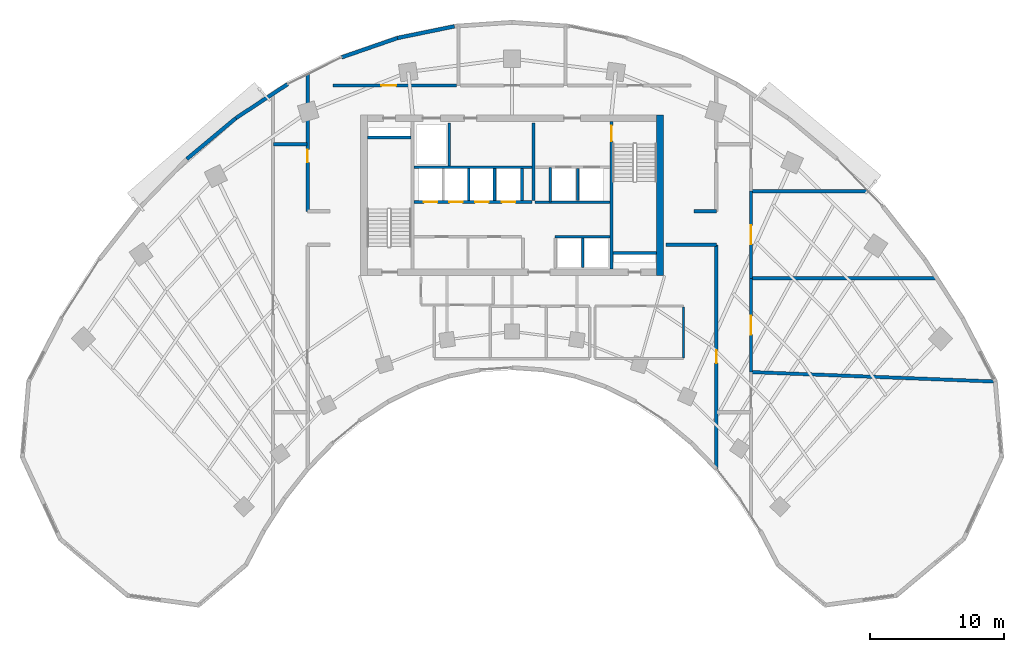
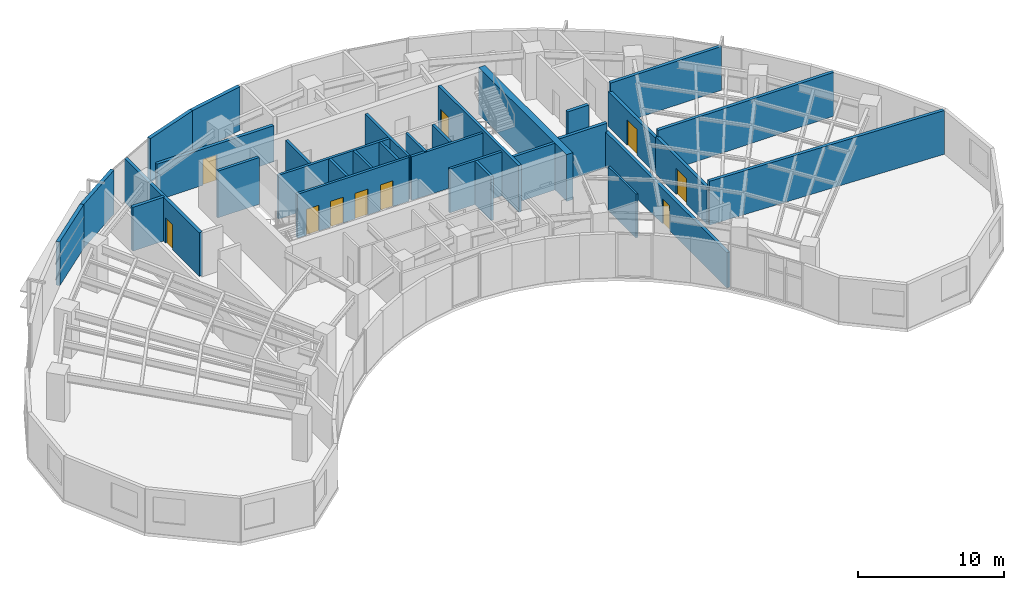
# One storey, part 10 of 14: 32 walls, 10 doors, 10 openings.
"""IFC4 building model written with IfcOpenShell, lengths in metres."""

from ifc_helpers import new_model, si_unit, direction, frame, frame_2d, origin, place, context, subcontext, project, spatial, rectangle, extrude, source, transform, mapped, material, layer, layer_set, type_object, type_shapes, element, fill, save


model = new_model("IFC4")

# Units and contexts
model_context = context("Model", 3, precision=1e-05, world=origin(), true_north=direction((0.0, 1.0)))
body_context = subcontext(model_context, "Body", "Model", "MODEL_VIEW")
ifc_project = project(units=[si_unit("LENGTHUNIT", "METRE"), si_unit("AREAUNIT", "SQUARE_METRE"), si_unit("VOLUMEUNIT", "CUBIC_METRE"), si_unit("PLANEANGLEUNIT", "RADIAN"), si_unit("MASSUNIT", "GRAM", prefix="KILO")], contexts=[model_context])

# Site, building, storey
site_placement = place(None, origin())
site = spatial("IfcSite", under=ifc_project, at=site_placement, CompositionType="ELEMENT")
building_placement = place(site_placement, origin())
building = spatial("IfcBuilding", under=site, at=building_placement, Name="Breltana Convention Tower", CompositionType="ELEMENT")
storey_placement = place(building_placement, frame((0.0, 0.0, 119.39990234375)))
storey = spatial("IfcBuildingStorey", under=building, at=storey_placement, Name="L28", CompositionType="ELEMENT", Elevation=119.39990234375)

# Walls
ifc_material_1 = material(Name="Concrete C60/75", Category="concrete")
ifc_layer_1 = layer(ifc_material_1, 0.5, Name="Concrete C60/75")
ifc_layer_set_1 = layer_set([ifc_layer_1], Name="Concrete C60/75")
wall_type_1 = type_object("IfcWallType", Name="SW-CORE-500", PredefinedType="SHEAR", material=ifc_layer_set_1)
shared_shape_1 = source(origin(), body_context, "Body", "SweptSolid", [
    extrude(rectangle(XDim=12.0, YDim=0.5, at=frame_2d((6.0, 0.0))), origin(), (0.0, 0.0, 1.0), 3.900146484375),
])
wall_1_placement = place(storey_placement, frame((59.050048828125, 60.199951171875, 0.0), z_axis=(0.0, 0.0, 1.0), x_axis=(0.0, 1.0, 0.0)))
element("IfcWall", 1, at=wall_1_placement, inside=storey, type_object=wall_type_1, Name="L28 East Core Shear Wall", PredefinedType="SHEAR", context=body_context, shape_type="MappedRepresentation", body=[
    mapped(shared_shape_1, transform((0.0, 0.0, 0.0), scale=1.0)),
])
ifc_material_2 = material(Name="Concrete C50/60", Category="concrete")
ifc_layer_2 = layer(ifc_material_2, 0.39990234375, Name="Concrete C50/60")
ifc_layer_set_2 = layer_set([ifc_layer_2], Name="Concrete C50/60")
wall_type_2 = type_object("IfcWallType", Name="SW-CORE-400", PredefinedType="SHEAR", material=ifc_layer_set_2)
shared_shape_2 = source(origin(), body_context, "Body", "SweptSolid", [
    extrude(rectangle(XDim=3.27001953125, YDim=0.219970703125, at=frame_2d((1.635009765625, 0.0))), origin(), (0.0, 0.0, 1.0), 3.900146484375),
])
for number, where, z_axis, x_axis, name in (
    (2, (37.199951171875, 70.510009765625, 0.0), (0.0, 0.0, 1.0), (1.0, 0.0, 0.0), "L28 ST-1 Stairwell North Bearing Wall"),
    (3, (55.530029296875, 61.889892578125, 0.0), (0.0, 0.0, 1.0), (1.0, 0.0, 0.0), "L28 ST-2 Stairwell South Bearing Wall"),
):
    element("IfcWall", number, at=place(storey_placement, frame(where, z_axis=z_axis, x_axis=x_axis)), inside=storey, type_object=wall_type_2, Name=name, PredefinedType="SHEAR", context=body_context, shape_type="MappedRepresentation", body=[
        mapped(shared_shape_2, transform((0.0, 0.0, 0.0), scale=1.0)),
    ])

# Wall, opening, door
shared_shape_3 = source(origin(), body_context, "Body", "SweptSolid", [
    extrude(rectangle(XDim=11.0, YDim=0.219970703125, at=frame_2d((5.5, 0.0))), origin(), (0.0, 0.0, 1.0), 3.900146484375),
])
wall_2_placement = place(storey_placement, frame((55.419921875, 60.699951171875, 0.0), z_axis=(0.0, 0.0, 1.0), x_axis=(0.0, 1.0, 0.0)))
wall_2 = element("IfcWall", 4, at=wall_2_placement, inside=storey, type_object=wall_type_2, Name="L28 Core East Stair Spine Wall", PredefinedType="SHEAR", context=body_context, shape_type="MappedRepresentation", body=[
    mapped(shared_shape_3, transform((0.0, 0.0, 0.0), scale=1.0)),
])
opening_1_placement = place(wall_2_placement, frame((9.544921875, 0.0, 0.0)))
opening_1 = element("IfcOpeningElement", 5, at=opening_1_placement, cuts=wall_2, Name="Opening D-11", PredefinedType="OPENING", context=body_context, shape_type="SweptSolid", body=[
    extrude(rectangle(XDim=1.14990234375, YDim=2.14990234375, at=frame_2d((0.574951171875, 1.074951171875))), frame((0.0, 0.1201171875, 0.0), z_axis=(0.0, -1.0, 0.0), x_axis=(1.0, 0.0, 0.0)), (0.0, 0.0, 1.0), 0.239990234375),
])
ifc_material_3 = material(Name="Steel Stair Exit Door", Category="steel")
door_type_1 = type_object("IfcDoorType", Name="DR-FD120-1150", OperationType="NOTDEFINED", PredefinedType="DOOR", material=ifc_material_3)
shared_shape_4 = source(origin(), body_context, "Body", "SweptSolid", [
    extrude(rectangle(XDim=1.14990234375, YDim=2.14990234375, at=frame_2d((0.574951171875, 1.074951171875))), frame((0.0, 0.02490234375, 0.0), z_axis=(0.0, -1.0, 0.0), x_axis=(1.0, 0.0, 0.0)), (0.0, 0.0, 1.0), 0.050048828125),
])
type_shapes(door_type_1, [shared_shape_4])
door_1_placement = place(opening_1_placement, origin())
door_1 = element("IfcDoor", 6, at=door_1_placement, inside=storey, type_object=door_type_1, Name="L28 interior door D-L28-ST2", OperationType="SINGLE_SWING_LEFT", OverallHeight=2.14990234375, OverallWidth=1.14990234375, PredefinedType="DOOR", context=body_context, shape_type="MappedRepresentation", body=[
    mapped(shared_shape_4, transform((0.0, 0.0, 0.0), scale=1.0)),
])
fill(opening_1, door_1)

# Walls
ifc_material_4 = material(Name="Limestone Buff Insulated Wall", Category="masonry")
ifc_layer_3 = layer(ifc_material_4, 0.280029296875, Name="Limestone Buff Insulated Wall")
ifc_layer_set_3 = layer_set([ifc_layer_3], Name="Limestone Buff Insulated Wall")
wall_type_3 = type_object("IfcWallType", Name="WL-EXT-NOSE-280", PredefinedType="SOLIDWALL", material=ifc_layer_set_3)
shared_shape_5 = source(origin(), body_context, "Body", "SweptSolid", [
    extrude(rectangle(XDim=4.76220703125, YDim=0.280029296875, at=frame_2d((2.381103515625, 0.0))), origin(), (0.0, 0.0, 1.0), 3.650146484375),
])
wall_3_placement = place(storey_placement, frame((23.724609375, 68.907470703125, 0.0), z_axis=(0.0, 0.0, 1.0), x_axis=(0.767952279762, 0.640507061638, 0.0)))
element("IfcWall", 7, at=wall_3_placement, inside=storey, type_object=wall_type_3, Name="L28 curved limestone nose wall E22", PredefinedType="SOLIDWALL", context=body_context, shape_type="MappedRepresentation", body=[
    mapped(shared_shape_5, transform((0.0, 0.0, 0.0), scale=1.0)),
])
shared_shape_6 = source(origin(), body_context, "Body", "SweptSolid", [
    extrude(rectangle(XDim=4.625732421875, YDim=0.280029296875, at=frame_2d((2.31298828125, 0.0))), origin(), (0.0, 0.0, 1.0), 3.650146484375),
])
wall_4_placement = place(storey_placement, frame((27.3818359375, 71.957763671875, 0.0), z_axis=(0.0, 0.0, 1.0), x_axis=(0.83595938331, 0.548791316855, 0.0)))
element("IfcWall", 8, at=wall_4_placement, inside=storey, type_object=wall_type_3, Name="L28 curved limestone nose wall E23", PredefinedType="SOLIDWALL", context=body_context, shape_type="MappedRepresentation", body=[
    mapped(shared_shape_6, transform((0.0, 0.0, 0.0), scale=1.0)),
])
shared_shape_7 = source(origin(), body_context, "Body", "SweptSolid", [
    extrude(rectangle(XDim=4.408935546875, YDim=0.280029296875, at=frame_2d((2.20458984375, 0.0))), origin(), (0.0, 0.0, 1.0), 3.650146484375),
])
wall_5_placement = place(storey_placement, frame((35.28564453125, 76.497314453125, 0.0), z_axis=(0.0, 0.0, 1.0), x_axis=(0.944879374121, 0.327418643881, 0.0)))
element("IfcWall", 9, at=wall_5_placement, inside=storey, type_object=wall_type_3, Name="L28 curved limestone nose wall E24", PredefinedType="SOLIDWALL", context=body_context, shape_type="MappedRepresentation", body=[
    mapped(shared_shape_7, transform((0.0, 0.0, 0.0), scale=1.0)),
])
shared_shape_8 = source(origin(), body_context, "Body", "SweptSolid", [
    extrude(rectangle(XDim=4.3408203125, YDim=0.280029296875, at=frame_2d((2.17041015625, 0.0))), origin(), (0.0, 0.0, 1.0), 3.650146484375),
])
wall_6_placement = place(storey_placement, frame((39.45166015625, 77.94091796875, 0.0), z_axis=(0.0, 0.0, 1.0), x_axis=(0.979612918634, 0.20089432457, 0.0)))
element("IfcWall", 10, at=wall_6_placement, inside=storey, type_object=wall_type_3, Name="L28 curved limestone nose wall E25", PredefinedType="SOLIDWALL", context=body_context, shape_type="MappedRepresentation", body=[
    mapped(shared_shape_8, transform((0.0, 0.0, 0.0), scale=1.0)),
])
ifc_material_5 = material(Name="Autoclaved Aerated Concrete Block", Category="concrete")
ifc_layer_4 = layer(ifc_material_5, 0.199951171875, Name="Autoclaved Aerated Concrete Block")
ifc_layer_set_4 = layer_set([ifc_layer_4], Name="Autoclaved Aerated Concrete Block")
wall_type_4 = type_object("IfcWallType", Name="WL-SHAFT-200", PredefinedType="SOLIDWALL", material=ifc_layer_set_4)
shared_shape_9 = source(origin(), body_context, "Body", "SweptSolid", [
    extrude(rectangle(XDim=5.6201171875, YDim=0.199951171875, at=frame_2d((2.81005859375, 0.0))), origin(), (0.0, 0.0, 1.0), 3.650146484375),
])
wall_7_placement = place(storey_placement, frame((49.699951171875, 65.679931640625, 0.0), z_axis=(0.0, 0.0, 1.0), x_axis=(1.0, 0.0, 0.0)))
element("IfcWall", 11, at=wall_7_placement, inside=storey, type_object=wall_type_4, Name="L28 interior partition W-L28-FL-S", PredefinedType="SOLIDWALL", context=body_context, shape_type="MappedRepresentation", body=[
    mapped(shared_shape_9, transform((0.0, 0.0, 0.0), scale=1.0)),
])
shared_shape_10 = source(origin(), body_context, "Body", "SweptSolid", [
    extrude(rectangle(XDim=5.800048828125, YDim=0.199951171875, at=frame_2d((2.89990234375, 0.0))), origin(), (0.0, 0.0, 1.0), 3.650146484375),
])
wall_8_placement = place(storey_placement, frame((49.60009765625, 65.800048828125, 0.0), z_axis=(0.0, 0.0, 1.0), x_axis=(0.0, 1.0, 0.0)))
element("IfcWall", 12, at=wall_8_placement, inside=storey, type_object=wall_type_4, Name="L28 interior partition W-L28-FFL-W", PredefinedType="SOLIDWALL", context=body_context, shape_type="MappedRepresentation", body=[
    mapped(shared_shape_10, transform((0.0, 0.0, 0.0), scale=1.0)),
])
shared_shape_11 = source(origin(), body_context, "Body", "SweptSolid", [
    extrude(rectangle(XDim=2.580078125, YDim=0.199951171875, at=frame_2d((1.2900390625, 0.0))), origin(), (0.0, 0.0, 1.0), 3.650146484375),
])
wall_9_placement = place(storey_placement, frame((50.85009765625, 65.679931640625, 0.0), z_axis=(0.0, 0.0, 1.0), x_axis=(0.0, 1.0, 0.0)))
element("IfcWall", 13, at=wall_9_placement, inside=storey, type_object=wall_type_4, Name="L28 interior partition W-L28-FL-W", PredefinedType="SOLIDWALL", context=body_context, shape_type="MappedRepresentation", body=[
    mapped(shared_shape_11, transform((0.0, 0.0, 0.0), scale=1.0)),
])
shared_shape_12 = source(origin(), body_context, "Body", "SweptSolid", [
    extrude(rectangle(XDim=2.39990234375, YDim=0.199951171875, at=frame_2d((1.199951171875, 0.0))), origin(), (0.0, 0.0, 1.0), 3.650146484375),
])
for number, where, z_axis, x_axis, name in (
    (14, (52.89990234375, 65.800048828125, 0.0), (0.0, 0.0, 1.0), (0.0, 1.0, 0.0), "L28 interior partition W-L28-FL-DIV"),
    (15, (48.75, 65.800048828125, 0.0), (0.0, 0.0, 1.0), (0.0, 1.0, 0.0), "L28 interior partition W-L28-SH-M-END"),
    (16, (44.77001953125, 65.800048828125, 0.0), (0.0, 0.0, 1.0), (0.0, 1.0, 0.0), "L28 interior partition W-L28-SH-M-DIV2"),
    (17, (46.699951171875, 65.800048828125, 0.0), (0.0, 0.0, 1.0), (0.0, 1.0, 0.0), "L28 interior partition W-L28-SH-M-DIV3"),
):
    element("IfcWall", number, at=place(storey_placement, frame(where, z_axis=z_axis, x_axis=x_axis)), inside=storey, type_object=wall_type_4, Name=name, PredefinedType="SOLIDWALL", context=body_context, shape_type="MappedRepresentation", body=[
        mapped(shared_shape_12, transform((0.0, 0.0, 0.0), scale=1.0)),
    ])
shared_shape_13 = source(origin(), body_context, "Body", "SweptSolid", [
    extrude(rectangle(XDim=3.2001953125, YDim=0.199951171875, at=frame_2d((1.60009765625, 0.0))), origin(), (0.0, 0.0, 1.0), 3.650146484375),
])
wall_10_placement = place(storey_placement, frame((43.320068359375, 68.39990234375, 0.0), z_axis=(0.0, 0.0, 1.0), x_axis=(0.0, 1.0, 0.0)))
element("IfcWall", 18, at=wall_10_placement, inside=storey, type_object=wall_type_4, Name="L28 interior partition W-L28-SV-E", PredefinedType="SOLIDWALL", context=body_context, shape_type="MappedRepresentation", body=[
    mapped(shared_shape_13, transform((0.0, 0.0, 0.0), scale=1.0)),
])
shared_shape_14 = source(origin(), body_context, "Body", "SweptSolid", [
    extrude(rectangle(XDim=8.800048828125, YDim=0.199951171875, at=frame_2d((4.39990234375, 0.0))), origin(), (0.0, 0.0, 1.0), 3.650146484375),
])
wall_11_placement = place(storey_placement, frame((40.699951171875, 68.300048828125, 0.0), z_axis=(0.0, 0.0, 1.0), x_axis=(1.0, 0.0, 0.0)))
element("IfcWall", 19, at=wall_11_placement, inside=storey, type_object=wall_type_4, Name="L28 interior partition W-L28-SV-S", PredefinedType="SOLIDWALL", context=body_context, shape_type="MappedRepresentation", body=[
    mapped(shared_shape_14, transform((0.0, 0.0, 0.0), scale=1.0)),
])

# Wall, openings, doors
wall_12_placement = place(storey_placement, frame((40.699951171875, 65.699951171875, 0.0), z_axis=(0.0, 0.0, 1.0), x_axis=(1.0, 0.0, 0.0)))
wall_12 = element("IfcWall", 20, at=wall_12_placement, inside=storey, type_object=wall_type_4, Name="L28 interior partition W-L28-SH-M-FRONT", PredefinedType="SOLIDWALL", context=body_context, shape_type="MappedRepresentation", body=[
    mapped(shared_shape_14, transform((0.0, 0.0, 0.0), scale=1.0)),
])
opening_2_placement = place(wall_12_placement, frame((0.719970703125, 0.0, 0.0)))
opening_2 = element("IfcOpeningElement", 21, at=opening_2_placement, cuts=wall_12, Name="Opening LD-04", PredefinedType="OPENING", context=body_context, shape_type="SweptSolid", body=[
    extrude(rectangle(XDim=1.0, YDim=2.14990234375, at=frame_2d((0.5, 1.074951171875))), frame((0.0, 0.10986328125, 0.0), z_axis=(0.0, -1.0, 0.0), x_axis=(1.0, 0.0, 0.0)), (0.0, 0.0, 1.0), 0.219970703125),
])
opening_3_placement = place(wall_12_placement, frame((2.6201171875, 0.0, 0.0)))
opening_3 = element("IfcOpeningElement", 22, at=opening_3_placement, cuts=wall_12, Name="Opening LD-04", PredefinedType="OPENING", context=body_context, shape_type="SweptSolid", body=[
    extrude(rectangle(XDim=1.0, YDim=2.14990234375, at=frame_2d((0.5, 1.074951171875))), frame((0.0, 0.10986328125, 0.0), z_axis=(0.0, -1.0, 0.0), x_axis=(1.0, 0.0, 0.0)), (0.0, 0.0, 1.0), 0.219970703125),
])
opening_4_placement = place(wall_12_placement, frame((4.550048828125, 0.0, 0.0)))
opening_4 = element("IfcOpeningElement", 23, at=opening_4_placement, cuts=wall_12, Name="Opening LD-04", PredefinedType="OPENING", context=body_context, shape_type="SweptSolid", body=[
    extrude(rectangle(XDim=1.0, YDim=2.14990234375, at=frame_2d((0.5, 1.074951171875))), frame((0.0, 0.10986328125, 0.0), z_axis=(0.0, -1.0, 0.0), x_axis=(1.0, 0.0, 0.0)), (0.0, 0.0, 1.0), 0.219970703125),
])
opening_5_placement = place(wall_12_placement, frame((6.550048828125, 0.0, 0.0)))
opening_5 = element("IfcOpeningElement", 24, at=opening_5_placement, cuts=wall_12, Name="Opening LD-04", PredefinedType="OPENING", context=body_context, shape_type="SweptSolid", body=[
    extrude(rectangle(XDim=1.0, YDim=2.14990234375, at=frame_2d((0.5, 1.074951171875))), frame((0.0, 0.10986328125, 0.0), z_axis=(0.0, -1.0, 0.0), x_axis=(1.0, 0.0, 0.0)), (0.0, 0.0, 1.0), 0.219970703125),
])
ifc_material_6 = material(Name="Stainless Steel Brushed", Category="steel")
door_type_2 = type_object("IfcDoorType", Name="DR-LD-PAX-1000", OperationType="DOUBLE_DOOR_SLIDING", PredefinedType="DOOR", material=ifc_material_6)
shared_shape_15 = source(origin(), body_context, "Body", "SweptSolid", [
    extrude(rectangle(XDim=1.0, YDim=2.14990234375, at=frame_2d((0.5, 1.074951171875))), frame((0.0, 0.02490234375, 0.0), z_axis=(0.0, -1.0, 0.0), x_axis=(1.0, 0.0, 0.0)), (0.0, 0.0, 1.0), 0.050048828125),
])
type_shapes(door_type_2, [shared_shape_15])
door_2_placement = place(opening_2_placement, origin())
door_2 = element("IfcDoor", 25, at=door_2_placement, inside=storey, type_object=door_type_2, Name="L28 Lift Landing Door D-L28-LD-M1", OperationType="DOUBLE_DOOR_SLIDING", OverallHeight=2.14990234375, OverallWidth=1.0, PredefinedType="DOOR", context=body_context, shape_type="MappedRepresentation", body=[
    mapped(shared_shape_15, transform((0.0, 0.0, 0.0), scale=1.0)),
])
fill(opening_2, door_2)
door_3_placement = place(opening_3_placement, origin())
door_3 = element("IfcDoor", 26, at=door_3_placement, inside=storey, type_object=door_type_2, Name="L28 Lift Landing Door D-L28-LD-M2", OperationType="DOUBLE_DOOR_SLIDING", OverallHeight=2.14990234375, OverallWidth=1.0, PredefinedType="DOOR", context=body_context, shape_type="MappedRepresentation", body=[
    mapped(shared_shape_15, transform((0.0, 0.0, 0.0), scale=1.0)),
])
fill(opening_3, door_3)
door_4_placement = place(opening_4_placement, origin())
door_4 = element("IfcDoor", 27, at=door_4_placement, inside=storey, type_object=door_type_2, Name="L28 Lift Landing Door D-L28-LD-M3", OperationType="DOUBLE_DOOR_SLIDING", OverallHeight=2.14990234375, OverallWidth=1.0, PredefinedType="DOOR", context=body_context, shape_type="MappedRepresentation", body=[
    mapped(shared_shape_15, transform((0.0, 0.0, 0.0), scale=1.0)),
])
fill(opening_4, door_4)
door_5_placement = place(opening_5_placement, origin())
door_5 = element("IfcDoor", 28, at=door_5_placement, inside=storey, type_object=door_type_2, Name="L28 Lift Landing Door D-L28-LD-M4", OperationType="DOUBLE_DOOR_SLIDING", OverallHeight=2.14990234375, OverallWidth=1.0, PredefinedType="DOOR", context=body_context, shape_type="MappedRepresentation", body=[
    mapped(shared_shape_15, transform((0.0, 0.0, 0.0), scale=1.0)),
])
fill(opening_5, door_5)

# Walls
shared_shape_16 = source(origin(), body_context, "Body", "SweptSolid", [
    extrude(rectangle(XDim=4.10009765625, YDim=0.199951171875, at=frame_2d((2.050048828125, 0.0))), origin(), (0.0, 0.0, 1.0), 3.650146484375),
])
wall_13_placement = place(storey_placement, frame((51.219970703125, 63.10009765625, 0.0), z_axis=(0.0, 0.0, 1.0), x_axis=(1.0, 0.0, 0.0)))
element("IfcWall", 29, at=wall_13_placement, inside=storey, type_object=wall_type_4, Name="L28 interior partition W-L28-SH-X-FRONT", PredefinedType="SOLIDWALL", context=body_context, shape_type="MappedRepresentation", body=[
    mapped(shared_shape_16, transform((0.0, 0.0, 0.0), scale=1.0)),
])
shared_shape_17 = source(origin(), body_context, "Body", "SweptSolid", [
    extrude(rectangle(XDim=2.199951171875, YDim=0.199951171875, at=frame_2d((1.10009765625, 0.0))), origin(), (0.0, 0.0, 1.0), 3.650146484375),
])
wall_14_placement = place(storey_placement, frame((53.280029296875, 60.800048828125, 0.0), z_axis=(0.0, 0.0, 1.0), x_axis=(0.0, 1.0, 0.0)))
element("IfcWall", 30, at=wall_14_placement, inside=storey, type_object=wall_type_4, Name="L28 interior partition W-L28-SH-X-DIV", PredefinedType="SOLIDWALL", context=body_context, shape_type="MappedRepresentation", body=[
    mapped(shared_shape_17, transform((0.0, 0.0, 0.0), scale=1.0)),
])
ifc_material_7 = material(Name="Gypsum Acoustic Drywall Partition")
ifc_layer_5 = layer(ifc_material_7, 0.14990234375, Name="Gypsum Acoustic Drywall Partition")
ifc_layer_set_5 = layer_set([ifc_layer_5], Name="Gypsum Acoustic Drywall Partition")
wall_type_5 = type_object("IfcWallType", Name="WL-PART-150", PredefinedType="PARTITIONING", material=ifc_layer_set_5)
shared_shape_18 = source(origin(), body_context, "Body", "SweptSolid", [
    extrude(rectangle(XDim=3.78515625, YDim=0.14990234375, at=frame_2d((1.892578125, 0.0))), origin(), (0.0, 0.0, 1.0), 3.650146484375),
])
wall_15_placement = place(storey_placement, frame((60.800048828125, 54.0673828125, 0.0), z_axis=(0.0, 0.0, 1.0), x_axis=(0.0, 1.0, 0.0)))
element("IfcWall", 31, at=wall_15_placement, inside=storey, type_object=wall_type_5, Name="L28 interior partition W-L28-PNT-E", PredefinedType="PARTITIONING", context=body_context, shape_type="MappedRepresentation", body=[
    mapped(shared_shape_18, transform((0.0, 0.0, 0.0), scale=1.0)),
])
ifc_material_8 = material(Name="Gypsum Acoustic Double Stud Wall")
ifc_layer_6 = layer(ifc_material_8, 0.25, Name="Gypsum Acoustic Double Stud Wall")
ifc_layer_set_6 = layer_set([ifc_layer_6], Name="Gypsum Acoustic Double Stud Wall")
wall_type_6 = type_object("IfcWallType", Name="WL-ACOUSTIC-250", PredefinedType="PARTITIONING", material=ifc_layer_set_6)
shared_shape_19 = source(origin(), body_context, "Body", "SweptSolid", [
    extrude(rectangle(XDim=2.5, YDim=0.25, at=frame_2d((1.25, 0.0))), origin(), (0.0, 0.0, 1.0), 3.650146484375),
])
wall_16_placement = place(storey_placement, frame((30.199951171875, 70.0, 0.0), z_axis=(0.0, 0.0, 1.0), x_axis=(1.0, 0.0, 0.0)))
element("IfcWall", 32, at=wall_16_placement, inside=storey, type_object=wall_type_6, Name="L28 interior partition W-L28-CORNW-N", PredefinedType="PARTITIONING", context=body_context, shape_type="MappedRepresentation", body=[
    mapped(shared_shape_19, transform((0.0, 0.0, 0.0), scale=1.0)),
])
shared_shape_20 = source(origin(), body_context, "Body", "SweptSolid", [
    extrude(rectangle(XDim=18.121826171875, YDim=0.25, at=frame_2d((9.06103515625, 0.0))), origin(), (0.0, 0.0, 1.0), 3.650146484375),
])
wall_17_placement = place(storey_placement, frame((65.840087890625, 53.0, 0.0), z_axis=(0.0, 0.0, 1.0), x_axis=(0.999241241773, -0.038947923447, 0.0)))
element("IfcWall", 33, at=wall_17_placement, inside=storey, type_object=wall_type_6, Name="L28 interior partition W-L28-ZE1-N", PredefinedType="PARTITIONING", context=body_context, shape_type="MappedRepresentation", body=[
    mapped(shared_shape_20, transform((0.0, 0.0, 0.0), scale=1.0)),
])

# Wall, opening, door
shared_shape_21 = source(origin(), body_context, "Body", "SweptSolid", [
    extrude(rectangle(XDim=7.0, YDim=0.25, at=frame_2d((3.5, 0.0))), origin(), (0.0, 0.0, 1.0), 3.093017578125),
])
wall_18_placement = place(storey_placement, frame((65.840087890625, 53.0, 0.0), z_axis=(0.0, 0.0, 1.0), x_axis=(0.0, 1.0, 0.0)))
wall_18 = element("IfcWall", 34, at=wall_18_placement, inside=storey, type_object=wall_type_6, Name="L28 interior partition W-L28-ZE2-W", PredefinedType="PARTITIONING", context=body_context, shape_type="MappedRepresentation", body=[
    mapped(shared_shape_21, transform((0.0, 0.0, 0.0), scale=1.0)),
])
opening_6_placement = place(wall_18_placement, frame((2.800048828125, 0.0, 0.0)))
opening_6 = element("IfcOpeningElement", 35, at=opening_6_placement, cuts=wall_18, Name="Opening D-05", PredefinedType="OPENING", context=body_context, shape_type="SweptSolid", body=[
    extrude(rectangle(XDim=1.39990234375, YDim=2.14990234375, at=frame_2d((0.699951171875, 1.074951171875))), frame((0.0, 0.135009765625, 0.0), z_axis=(0.0, -1.0, 0.0), x_axis=(1.0, 0.0, 0.0)), (0.0, 0.0, 1.0), 0.27001953125),
])
ifc_material_9 = material(Name="Timber Veneer Glazed Double Door", Category="wood")
door_type_3 = type_object("IfcDoorType", Name="DR-DBL-1400", OperationType="DOUBLE_DOOR_SINGLE_SWING", PredefinedType="DOOR", material=ifc_material_9)
shared_shape_22 = source(origin(), body_context, "Body", "SweptSolid", [
    extrude(rectangle(XDim=1.39990234375, YDim=2.14990234375, at=frame_2d((0.699951171875, 1.074951171875))), frame((0.0, 0.02490234375, 0.0), z_axis=(0.0, -1.0, 0.0), x_axis=(1.0, 0.0, 0.0)), (0.0, 0.0, 1.0), 0.050048828125),
])
type_shapes(door_type_3, [shared_shape_22])
door_6_placement = place(opening_6_placement, origin())
door_6 = element("IfcDoor", 36, at=door_6_placement, inside=storey, type_object=door_type_3, Name="L28 interior door D-L28-ZE2", OperationType="SINGLE_SWING_RIGHT", OverallHeight=2.14990234375, OverallWidth=1.39990234375, PredefinedType="DOOR", context=body_context, shape_type="MappedRepresentation", body=[
    mapped(shared_shape_22, transform((0.0, 0.0, 0.0), scale=1.0)),
])
fill(opening_6, door_6)

# Wall
shared_shape_23 = source(origin(), body_context, "Body", "SweptSolid", [
    extrude(rectangle(XDim=13.8583984375, YDim=0.25, at=frame_2d((6.92919921875, 0.0))), origin(), (0.0, 0.0, 1.0), 3.650146484375),
])
wall_19_placement = place(storey_placement, frame((65.840087890625, 60.0, 0.0), z_axis=(0.0, 0.0, 1.0), x_axis=(1.0, 0.0, 0.0)))
element("IfcWall", 37, at=wall_19_placement, inside=storey, type_object=wall_type_6, Name="L28 interior partition W-L28-ZE2-N", PredefinedType="PARTITIONING", context=body_context, shape_type="MappedRepresentation", body=[
    mapped(shared_shape_23, transform((0.0, 0.0, 0.0), scale=1.0)),
])

# Wall, opening, door
shared_shape_24 = source(origin(), body_context, "Body", "SweptSolid", [
    extrude(rectangle(XDim=6.5, YDim=0.25, at=frame_2d((3.25, 0.0))), origin(), (0.0, 0.0, 1.0), 2.942138671875),
])
wall_20_placement = place(storey_placement, frame((65.840087890625, 60.0, 0.0), z_axis=(0.0, 0.0, 1.0), x_axis=(0.0, 1.0, 0.0)))
wall_20 = element("IfcWall", 38, at=wall_20_placement, inside=storey, type_object=wall_type_6, Name="L28 interior partition W-L28-ZE3-W", PredefinedType="PARTITIONING", context=body_context, shape_type="MappedRepresentation", body=[
    mapped(shared_shape_24, transform((0.0, 0.0, 0.0), scale=1.0)),
])
opening_7_placement = place(wall_20_placement, frame((2.550048828125, 0.0, 0.0)))
opening_7 = element("IfcOpeningElement", 39, at=opening_7_placement, cuts=wall_20, Name="Opening D-05", PredefinedType="OPENING", context=body_context, shape_type="SweptSolid", body=[
    extrude(rectangle(XDim=1.39990234375, YDim=2.14990234375, at=frame_2d((0.699951171875, 1.074951171875))), frame((0.0, 0.135009765625, 0.0), z_axis=(0.0, -1.0, 0.0), x_axis=(1.0, 0.0, 0.0)), (0.0, 0.0, 1.0), 0.27001953125),
])
door_7_placement = place(opening_7_placement, origin())
door_7 = element("IfcDoor", 40, at=door_7_placement, inside=storey, type_object=door_type_3, Name="L28 interior door D-L28-ZE3", OperationType="SINGLE_SWING_LEFT", OverallHeight=2.14990234375, OverallWidth=1.39990234375, PredefinedType="DOOR", context=body_context, shape_type="MappedRepresentation", body=[
    mapped(shared_shape_22, transform((0.0, 0.0, 0.0), scale=1.0)),
])
fill(opening_7, door_7)

# Wall
shared_shape_25 = source(origin(), body_context, "Body", "SweptSolid", [
    extrude(rectangle(XDim=8.745849609375, YDim=0.25, at=frame_2d((4.373046875, 0.0))), origin(), (0.0, 0.0, 1.0), 3.650146484375),
])
wall_21_placement = place(storey_placement, frame((65.840087890625, 66.5, 0.0), z_axis=(0.0, 0.0, 1.0), x_axis=(1.0, 0.0, 0.0)))
element("IfcWall", 41, at=wall_21_placement, inside=storey, type_object=wall_type_6, Name="L28 interior partition W-L28-ZE3-N", PredefinedType="PARTITIONING", context=body_context, shape_type="MappedRepresentation", body=[
    mapped(shared_shape_25, transform((0.0, 0.0, 0.0), scale=1.0)),
])

# Wall, opening, door
shared_shape_26 = source(origin(), body_context, "Body", "SweptSolid", [
    extrude(rectangle(XDim=9.2001953125, YDim=0.25, at=frame_2d((4.60009765625, 0.0))), origin(), (0.0, 0.0, 1.0), 3.022216796875),
])
wall_22_placement = place(storey_placement, frame((34.64990234375, 74.39990234375, 0.0), z_axis=(0.0, 0.0, 1.0), x_axis=(1.0, 0.0, 0.0)))
wall_22 = element("IfcWall", 42, at=wall_22_placement, inside=storey, type_object=wall_type_6, Name="L28 interior partition W-L28-ZN1-S", PredefinedType="PARTITIONING", context=body_context, shape_type="MappedRepresentation", body=[
    mapped(shared_shape_26, transform((0.0, 0.0, 0.0), scale=1.0)),
])
opening_8_placement = place(wall_22_placement, frame((3.60009765625, 0.0, 0.0)))
opening_8 = element("IfcOpeningElement", 43, at=opening_8_placement, cuts=wall_22, Name="Opening D-12", PredefinedType="OPENING", context=body_context, shape_type="SweptSolid", body=[
    extrude(rectangle(XDim=1.10009765625, YDim=2.14990234375, at=frame_2d((0.550048828125, 1.074951171875))), frame((0.0, 0.135009765625, 0.0), z_axis=(0.0, -1.0, 0.0), x_axis=(1.0, 0.0, 0.0)), (0.0, 0.0, 1.0), 0.27001953125),
])
ifc_material_10 = material(Name="Timber Oak Acoustic Door", Category="wood")
door_type_4 = type_object("IfcDoorType", Name="DR-INT-1100", OperationType="NOTDEFINED", PredefinedType="DOOR", material=ifc_material_10)
shared_shape_27 = source(origin(), body_context, "Body", "SweptSolid", [
    extrude(rectangle(XDim=1.10009765625, YDim=2.14990234375, at=frame_2d((0.550048828125, 1.074951171875))), frame((0.0, 0.02490234375, 0.0), z_axis=(0.0, -1.0, 0.0), x_axis=(1.0, 0.0, 0.0)), (0.0, 0.0, 1.0), 0.050048828125),
])
type_shapes(door_type_4, [shared_shape_27])
door_8_placement = place(opening_8_placement, origin())
door_8 = element("IfcDoor", 44, at=door_8_placement, inside=storey, type_object=door_type_4, Name="L28 interior door D-L28-ZN1", OperationType="SINGLE_SWING_LEFT", OverallHeight=2.14990234375, OverallWidth=1.10009765625, PredefinedType="DOOR", context=body_context, shape_type="MappedRepresentation", body=[
    mapped(shared_shape_27, transform((0.0, 0.0, 0.0), scale=1.0)),
])
fill(opening_8, door_8)

shared_shape_28 = source(origin(), body_context, "Body", "SweptSolid", [
    extrude(rectangle(XDim=16.70556640625, YDim=0.25, at=frame_2d((8.352783203125, 0.0))), origin(), (0.0, 0.0, 1.0), 2.942138671875),
])
wall_23_placement = place(storey_placement, frame((63.260009765625, 45.79443359375, 0.0), z_axis=(0.0, 0.0, 1.0), x_axis=(0.0, 1.0, 0.0)))
wall_23 = element("IfcWall", 45, at=wall_23_placement, inside=storey, type_object=wall_type_6, Name="L28 interior partition W-L28-ZME1-D", PredefinedType="PARTITIONING", context=body_context, shape_type="MappedRepresentation", body=[
    mapped(shared_shape_28, transform((0.0, 0.0, 0.0), scale=1.0)),
])
opening_9_placement = place(wall_23_placement, frame((7.877685546875, 0.0, 0.0)))
opening_9 = element("IfcOpeningElement", 46, at=opening_9_placement, cuts=wall_23, Name="Opening D-17", PredefinedType="OPENING", context=body_context, shape_type="SweptSolid", body=[
    extrude(rectangle(XDim=0.949951171875, YDim=2.10009765625, at=frame_2d((0.47509765625, 1.050048828125))), frame((0.0, 0.135009765625, 0.0), z_axis=(0.0, -1.0, 0.0), x_axis=(1.0, 0.0, 0.0)), (0.0, 0.0, 1.0), 0.27001953125),
])
ifc_material_11 = material(Name="Timber Oak Veneer Door", Category="wood")
door_type_5 = type_object("IfcDoorType", Name="DR-INT-950", OperationType="NOTDEFINED", PredefinedType="DOOR", material=ifc_material_11)
shared_shape_29 = source(origin(), body_context, "Body", "SweptSolid", [
    extrude(rectangle(XDim=0.949951171875, YDim=2.10009765625, at=frame_2d((0.47509765625, 1.050048828125))), frame((0.0, 0.02490234375, 0.0), z_axis=(0.0, -1.0, 0.0), x_axis=(1.0, 0.0, 0.0)), (0.0, 0.0, 1.0), 0.050048828125),
])
type_shapes(door_type_5, [shared_shape_29])
door_9_placement = place(opening_9_placement, origin())
door_9 = element("IfcDoor", 47, at=door_9_placement, inside=storey, type_object=door_type_5, Name="L28 interior door D-L28-ZME1", OperationType="SINGLE_SWING_RIGHT", OverallHeight=2.10009765625, OverallWidth=0.949951171875, PredefinedType="DOOR", context=body_context, shape_type="MappedRepresentation", body=[
    mapped(shared_shape_29, transform((0.0, 0.0, 0.0), scale=1.0)),
])
fill(opening_9, door_9)

# Wall
shared_shape_30 = source(origin(), body_context, "Body", "SweptSolid", [
    extrude(rectangle(XDim=1.659912109375, YDim=0.25, at=frame_2d((0.830078125, 0.0))), origin(), (0.0, 0.0, 1.0), 3.650146484375),
])
wall_24_placement = place(storey_placement, frame((61.60009765625, 65.0, 0.0), z_axis=(0.0, 0.0, 1.0), x_axis=(1.0, 0.0, 0.0)))
element("IfcWall", 48, at=wall_24_placement, inside=storey, type_object=wall_type_6, Name="L28 interior partition W-L28-ZME2-TS", PredefinedType="PARTITIONING", context=body_context, shape_type="MappedRepresentation", body=[
    mapped(shared_shape_30, transform((0.0, 0.0, 0.0), scale=1.0)),
])

# Wall, opening, door
shared_shape_31 = source(origin(), body_context, "Body", "SweptSolid", [
    extrude(rectangle(XDim=10.224365234375, YDim=0.25, at=frame_2d((5.1123046875, 0.0))), origin(), (0.0, 0.0, 1.0), 3.650146484375),
])
wall_25_placement = place(storey_placement, frame((32.739990234375, 65.0, 0.0), z_axis=(0.0, 0.0, 1.0), x_axis=(0.0, 1.0, 0.0)))
wall_25 = element("IfcWall", 49, at=wall_25_placement, inside=storey, type_object=wall_type_6, Name="L28 interior partition W-L28-ZMW2-D", PredefinedType="PARTITIONING", context=body_context, shape_type="MappedRepresentation", body=[
    mapped(shared_shape_31, transform((0.0, 0.0, 0.0), scale=1.0)),
])
opening_10_placement = place(wall_25_placement, frame((3.64990234375, 0.0, 0.0)))
opening_10 = element("IfcOpeningElement", 50, at=opening_10_placement, cuts=wall_25, Name="Opening D-17", PredefinedType="OPENING", context=body_context, shape_type="SweptSolid", body=[
    extrude(rectangle(XDim=0.949951171875, YDim=2.10009765625, at=frame_2d((0.47509765625, 1.050048828125))), frame((0.0, 0.135009765625, 0.0), z_axis=(0.0, -1.0, 0.0), x_axis=(1.0, 0.0, 0.0)), (0.0, 0.0, 1.0), 0.27001953125),
])
door_10_placement = place(opening_10_placement, origin())
door_10 = element("IfcDoor", 51, at=door_10_placement, inside=storey, type_object=door_type_5, Name="L28 interior door D-L28-ZMW2", OperationType="SINGLE_SWING_LEFT", OverallHeight=2.10009765625, OverallWidth=0.949951171875, PredefinedType="DOOR", context=body_context, shape_type="MappedRepresentation", body=[
    mapped(shared_shape_29, transform((0.0, 0.0, 0.0), scale=1.0)),
])
fill(opening_10, door_10)

# Wall
shared_shape_32 = source(origin(), body_context, "Body", "SweptSolid", [
    extrude(rectangle(XDim=3.760009765625, YDim=0.25, at=frame_2d((1.8798828125, 0.0))), origin(), (0.0, 0.0, 1.0), 3.650146484375),
])
wall_26_placement = place(storey_placement, frame((59.5, 62.5, 0.0), z_axis=(0.0, 0.0, 1.0), x_axis=(1.0, 0.0, 0.0)))
element("IfcWall", 52, at=wall_26_placement, inside=storey, type_object=wall_type_6, Name="L28 interior partition W-L28-ZME1-TN", PredefinedType="PARTITIONING", context=body_context, shape_type="MappedRepresentation", body=[
    mapped(shared_shape_32, transform((0.0, 0.0, 0.0), scale=1.0)),
])

save(model, "model.ifc")
